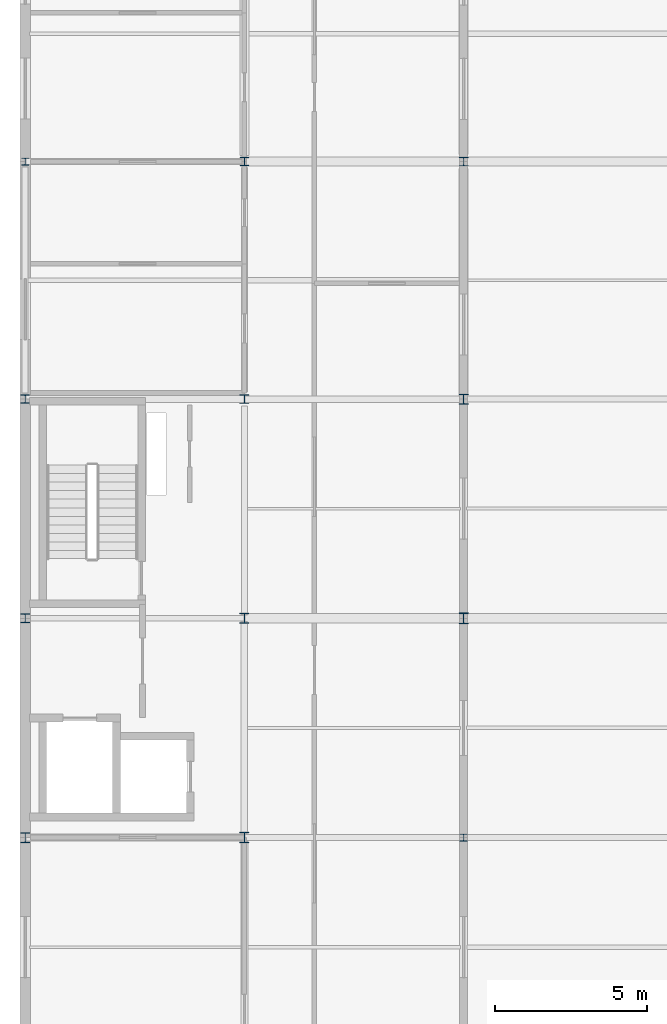
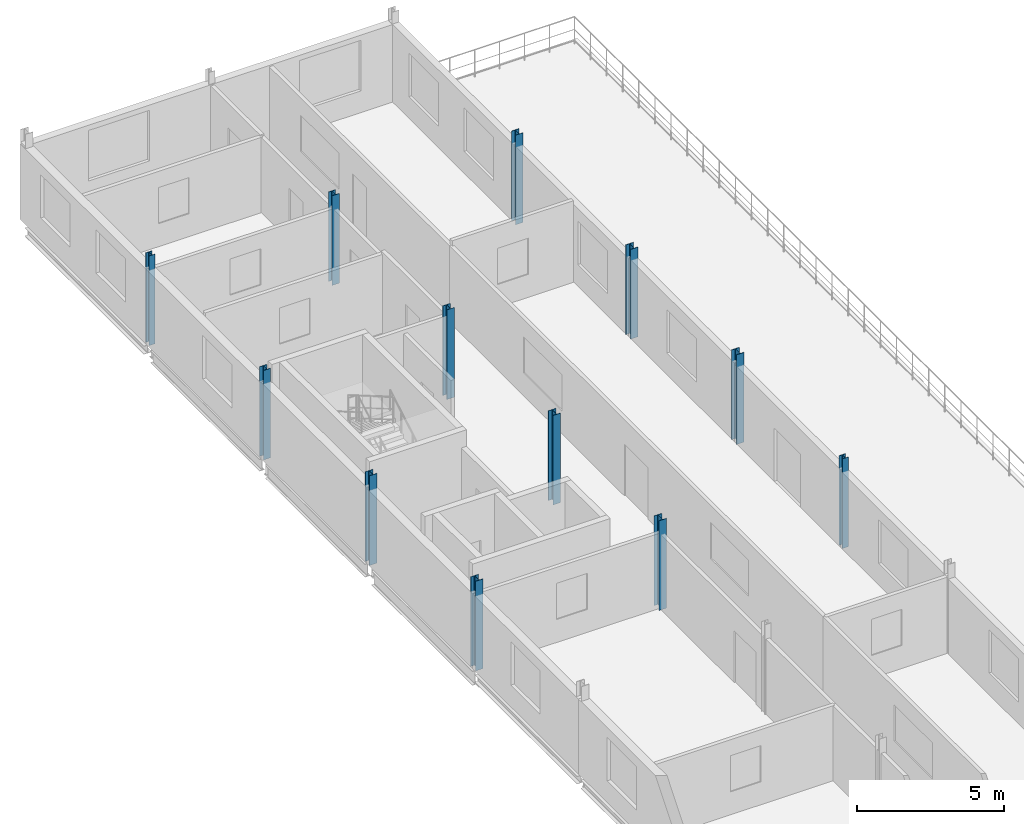
# One storey, part 3 of 14: 12 columns.
"""IFC4 building model written with IfcOpenShell, lengths in metres."""

from ifc_helpers import new_model, si_unit, direction, frame, origin, origin_2d, place, context, subcontext, project, spatial, i_section, extrude, material, material_profile, profile_set, type_object, element, save


model = new_model("IFC4")

# Units and contexts
model_context = context("Model", 3, precision=1e-05, world=origin(), true_north=direction((0.0, 1.0)))
body_context = subcontext(model_context, "Body", "Model", "MODEL_VIEW")
ifc_project = project(units=[si_unit("LENGTHUNIT", "METRE"), si_unit("AREAUNIT", "SQUARE_METRE"), si_unit("VOLUMEUNIT", "CUBIC_METRE"), si_unit("PLANEANGLEUNIT", "RADIAN"), si_unit("MASSUNIT", "GRAM", prefix="KILO")], contexts=[model_context])

# Site, building, storey
site_placement = place(None, origin())
site = spatial("IfcSite", under=ifc_project, at=site_placement, CompositionType="ELEMENT")
building_placement = place(site_placement, origin())
building = spatial("IfcBuilding", under=site, at=building_placement, Name="Vinh Khe Railworks Police Headquarters", CompositionType="ELEMENT")
storey_placement = place(building_placement, frame((0.0, 0.0, 32.699951171875)))
storey = spatial("IfcBuildingStorey", under=building, at=storey_placement, Name="L08", CompositionType="ELEMENT", Elevation=32.699951171875)

# Columns
ifc_material = material(Name="Steel S355JR", Category="steel")
ifc_material_profile_1 = material_profile(ifc_material, i_section(OverallWidth=0.239990234375, OverallDepth=0.22998046875, WebThickness=0.007568359375, FlangeThickness=0.011962890625, FilletRadius=0.02099609375, at=origin_2d()), Name="HEA 240")
ifc_profile_set_1 = profile_set([ifc_material_profile_1], Name="Steel S355JR")
column_type_1 = type_object("IfcColumnType", Name="Steel Column HEA 240", PredefinedType="COLUMN", material=ifc_profile_set_1)
for number, where, z_axis, x_axis, name in (
    (1, (0.60009765625, 96.0, 0.0), (0.0, 0.0, 1.0), (1.0, 0.0, 0.0), "Column COL-L08-SC-20-0136"),
    (2, (15.0, 73.800048828125, 0.0), (0.0, 0.0, 1.0), (1.0, 0.0, 0.0), "Column COL-L08-SC-20-0440"),
):
    element("IfcColumn", number, at=place(storey_placement, frame(where, z_axis=z_axis, x_axis=x_axis)), inside=storey, type_object=column_type_1, Name=name, PredefinedType="COLUMN", context=body_context, shape_type="SweptSolid", body=[
        extrude(i_section(OverallWidth=0.239990234375, OverallDepth=0.22998046875, WebThickness=0.007568359375, FlangeThickness=0.011962890625, FilletRadius=0.02099609375, at=origin_2d()), origin(), (0.0, 0.0, 1.0), 3.719970703125),
    ])
ifc_material_profile_2 = material_profile(ifc_material, i_section(OverallWidth=0.280029296875, OverallDepth=0.27001953125, WebThickness=0.008056640625, FlangeThickness=0.012939453125, FilletRadius=0.02392578125, at=origin_2d()), Name="HEA 280")
ifc_profile_set_2 = profile_set([ifc_material_profile_2], Name="Steel S355JR")
column_type_2 = type_object("IfcColumnType", Name="Steel Column HEA 280", PredefinedType="COLUMN", material=ifc_profile_set_2)
for number, where, z_axis, x_axis, name in (
    (3, (0.60009765625, 88.199951171875, 0.0), (0.0, 0.0, 1.0), (1.0, 0.0, 0.0), "Column COL-L08-SC-19-0126"),
    (4, (7.800048828125, 96.0, 0.0), (0.0, 0.0, 1.0), (1.0, 0.0, 0.0), "Column COL-L08-SC-19-0303"),
):
    element("IfcColumn", number, at=place(storey_placement, frame(where, z_axis=z_axis, x_axis=x_axis)), inside=storey, type_object=column_type_2, Name=name, PredefinedType="COLUMN", context=body_context, shape_type="SweptSolid", body=[
        extrude(i_section(OverallWidth=0.280029296875, OverallDepth=0.27001953125, WebThickness=0.008056640625, FlangeThickness=0.012939453125, FilletRadius=0.02392578125, at=origin_2d()), origin(), (0.0, 0.0, 1.0), 3.719970703125),
    ])
ifc_material_profile_3 = material_profile(ifc_material, i_section(OverallWidth=0.300048828125, OverallDepth=0.2900390625, WebThickness=0.008544921875, FlangeThickness=0.013916015625, FilletRadius=0.027099609375, at=origin_2d()), Name="HEA 300")
ifc_profile_set_3 = profile_set([ifc_material_profile_3], Name="Steel S355JR")
column_type_3 = type_object("IfcColumnType", Name="Steel Column HEA 300", PredefinedType="COLUMN", material=ifc_profile_set_3)
for number, where, z_axis, x_axis, name in (
    (5, (0.60009765625, 81.0, 0.0), (0.0, 0.0, 1.0), (1.0, 0.0, 0.0), "Column COL-L08-SC-18-0116"),
    (6, (7.800048828125, 88.199951171875, 0.0), (0.0, 0.0, 1.0), (1.0, 0.0, 0.0), "Column COL-L08-SC-18-0293"),
    (7, (15.0, 96.0, 0.0), (0.0, 0.0, 1.0), (1.0, 0.0, 0.0), "Column COL-L08-SC-18-0470"),
):
    element("IfcColumn", number, at=place(storey_placement, frame(where, z_axis=z_axis, x_axis=x_axis)), inside=storey, type_object=column_type_3, Name=name, PredefinedType="COLUMN", context=body_context, shape_type="SweptSolid", body=[
        extrude(i_section(OverallWidth=0.300048828125, OverallDepth=0.2900390625, WebThickness=0.008544921875, FlangeThickness=0.013916015625, FilletRadius=0.027099609375, at=origin_2d()), origin(), (0.0, 0.0, 1.0), 3.719970703125),
    ])
ifc_material_profile_4 = material_profile(ifc_material, i_section(OverallWidth=0.300048828125, OverallDepth=0.330078125, WebThickness=0.009521484375, FlangeThickness=0.0166015625, FilletRadius=0.027099609375, at=origin_2d()), Name="HEA 340")
ifc_profile_set_4 = profile_set([ifc_material_profile_4], Name="Steel S355JR")
column_type_4 = type_object("IfcColumnType", Name="Steel Column HEA 340", PredefinedType="COLUMN", material=ifc_profile_set_4)
for number, where, z_axis, x_axis, name in (
    (8, (0.60009765625, 73.800048828125, 0.0), (0.0, 0.0, 1.0), (1.0, 0.0, 0.0), "Column COL-L08-SC-17-0106"),
    (9, (7.800048828125, 81.0, 0.0), (0.0, 0.0, 1.0), (1.0, 0.0, 0.0), "Column COL-L08-SC-17-0283"),
    (10, (15.0, 88.199951171875, 0.0), (0.0, 0.0, 1.0), (1.0, 0.0, 0.0), "Column COL-L08-SC-17-0460"),
):
    element("IfcColumn", number, at=place(storey_placement, frame(where, z_axis=z_axis, x_axis=x_axis)), inside=storey, type_object=column_type_4, Name=name, PredefinedType="COLUMN", context=body_context, shape_type="SweptSolid", body=[
        extrude(i_section(OverallWidth=0.300048828125, OverallDepth=0.330078125, WebThickness=0.009521484375, FlangeThickness=0.0166015625, FilletRadius=0.027099609375, at=origin_2d()), origin(), (0.0, 0.0, 1.0), 3.719970703125),
    ])
ifc_material_profile_5 = material_profile(ifc_material, i_section(OverallWidth=0.300048828125, OverallDepth=0.35009765625, WebThickness=0.010009765625, FlangeThickness=0.017578125, FilletRadius=0.027099609375, at=origin_2d()), Name="HEA 360")
ifc_profile_set_5 = profile_set([ifc_material_profile_5], Name="Steel S355JR")
column_type_5 = type_object("IfcColumnType", Name="Steel Column HEA 360", PredefinedType="COLUMN", material=ifc_profile_set_5)
for number, where, z_axis, x_axis, name in (
    (11, (7.800048828125, 73.800048828125, 0.0), (0.0, 0.0, 1.0), (1.0, 0.0, 0.0), "Column COL-L08-SC-16-0273"),
    (12, (15.0, 81.0, 0.0), (0.0, 0.0, 1.0), (1.0, 0.0, 0.0), "Column COL-L08-SC-16-0450"),
):
    element("IfcColumn", number, at=place(storey_placement, frame(where, z_axis=z_axis, x_axis=x_axis)), inside=storey, type_object=column_type_5, Name=name, PredefinedType="COLUMN", context=body_context, shape_type="SweptSolid", body=[
        extrude(i_section(OverallWidth=0.300048828125, OverallDepth=0.35009765625, WebThickness=0.010009765625, FlangeThickness=0.017578125, FilletRadius=0.027099609375, at=origin_2d()), origin(), (0.0, 0.0, 1.0), 3.719970703125),
    ])

save(model, "model.ifc")
